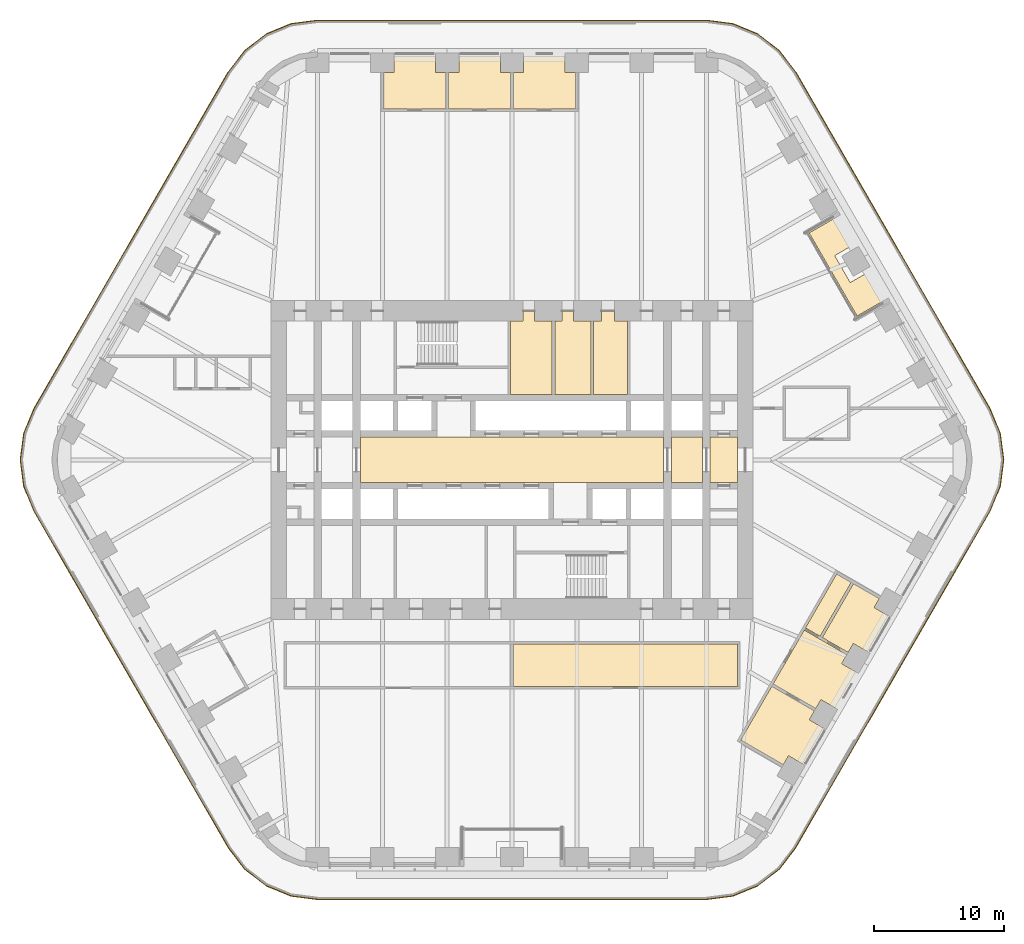
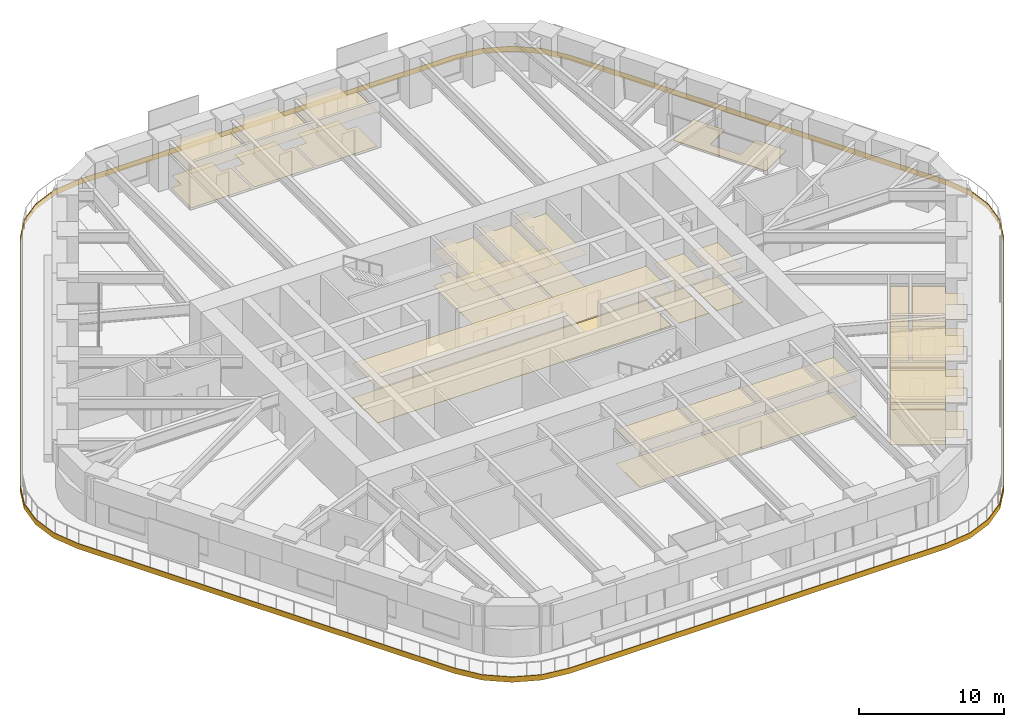
# One storey, part 23 of 24: 16 coverings.
"""IFC4 building model written with IfcOpenShell, lengths in metres."""

from ifc_helpers import new_model, si_unit, direction, frame, origin, place, context, subcontext, project, spatial, polyline, outline, extrude, material, layer, layer_set, type_object, element, save


model = new_model("IFC4")

# Units and contexts
model_context = context("Model", 3, precision=1e-05, world=origin(), true_north=direction((0.0, 1.0)))
body_context = subcontext(model_context, "Body", "Model", "MODEL_VIEW")
ifc_project = project(units=[si_unit("LENGTHUNIT", "METRE"), si_unit("AREAUNIT", "SQUARE_METRE"), si_unit("VOLUMEUNIT", "CUBIC_METRE"), si_unit("PLANEANGLEUNIT", "RADIAN"), si_unit("MASSUNIT", "GRAM", prefix="KILO")], contexts=[model_context])

# Site, building, storey
site_placement = place(None, origin())
site = spatial("IfcSite", under=ifc_project, at=site_placement, CompositionType="ELEMENT")
building_placement = place(site_placement, origin())
building = spatial("IfcBuilding", under=site, at=building_placement, Name="Tarfa Lantern Tower", CompositionType="ELEMENT")
storey_placement = place(building_placement, frame((0.0, 0.0, 127.89990234375)))
storey = spatial("IfcBuildingStorey", under=building, at=storey_placement, Name="L28", CompositionType="ELEMENT", Elevation=127.89990234375)

# Coverings
ifc_material_1 = material(Name="Mineral fibre acoustic tile on suspension grid", Category="finish")
ifc_layer_1 = layer(ifc_material_1, 0.02001953125)
ifc_layer_set_1 = layer_set([ifc_layer_1], Name="CL1 ACOUSTIC TILE CEILING 20")
covering_type_1 = type_object("IfcCoveringType", Name="CL1 ACOUSTIC TILE CEILING 20", PredefinedType="CEILING", material=ifc_layer_set_1)
covering_1_placement = place(storey_placement, frame((0.0, 0.0, 2.900146484375)))
element("IfcCovering", 1, at=covering_1_placement, inside=storey, type_object=covering_type_1, Name="Ceiling L28 CL1", PredefinedType="CEILING", context=body_context, shape_type="SweptSolid", body=[
    extrude(outline(polyline([(4.90380859375, 27.10009765625), (0.10009765625, 27.10009765625), (0.10009765625, 29.89990234375), (0.89990234375, 29.89990234375), (0.89990234375, 31.14990234375), (4.103759765625, 31.14990234375), (4.103759765625, 29.89990234375), (4.90380859375, 29.89990234375), (4.90380859375, 27.10009765625)])), origin(), (0.0, 0.0, 1.0), 0.02001953125),
    extrude(outline(polyline([(-0.10009765625, 27.10009765625), (-4.90380859375, 27.10009765625), (-4.90380859375, 29.89990234375), (-4.103759765625, 29.89990234375), (-4.103759765625, 31.14990234375), (-0.89990234375, 31.14990234375), (-0.89990234375, 29.89990234375), (-0.10009765625, 29.89990234375), (-0.10009765625, 27.10009765625)])), origin(), (0.0, 0.0, 1.0), 0.02001953125),
    extrude(outline(polyline([(-5.103759765625, 27.10009765625), (-9.907470703125, 27.10009765625), (-9.907470703125, 29.89990234375), (-9.107421875, 29.89990234375), (-9.107421875, 31.14990234375), (-5.90380859375, 31.14990234375), (-5.90380859375, 29.89990234375), (-5.103759765625, 29.89990234375), (-5.103759765625, 27.10009765625)])), origin(), (0.0, 0.0, 1.0), 0.02001953125),
    extrude(outline(polyline([(20.051513671875, -17.469970703125), (23.34228515625, -19.369873046875), (22.9423828125, -20.062744140625), (24.02490234375, -20.687744140625), (22.423095703125, -23.462158203125), (21.340576171875, -22.837158203125), (20.9404296875, -23.530029296875), (17.649658203125, -21.630126953125), (20.051513671875, -17.469970703125)])), origin(), (0.0, 0.0, 1.0), 0.02001953125),
    extrude(outline(polyline([(22.55322265625, -13.13671875), (25.84423828125, -15.03662109375), (25.444091796875, -15.7294921875), (26.526611328125, -16.3544921875), (24.9248046875, -19.12890625), (23.84228515625, -18.50390625), (23.4423828125, -19.19677734375), (20.1513671875, -17.296630859375), (22.55322265625, -13.13671875)])), origin(), (0.0, 0.0, 1.0), 0.02001953125),
    extrude(outline(polyline([(26.354248046875, -9.55322265625), (28.345947265625, -10.703369140625), (27.946044921875, -11.39599609375), (29.028564453125, -12.02099609375), (27.4267578125, -14.795654296875), (26.34423828125, -14.170654296875), (25.944091796875, -14.86328125), (23.952392578125, -13.71337890625), (26.354248046875, -9.55322265625)])), origin(), (0.0, 0.0, 1.0), 0.02001953125),
    extrude(outline(polyline([(25.05517578125, -8.80322265625), (26.180908203125, -9.453369140625), (23.779052734375, -13.61328125), (22.6533203125, -12.96337890625), (25.05517578125, -8.80322265625)])), origin(), (0.0, 0.0, 1.0), 0.02001953125),
    extrude(outline(polyline([(0.10009765625, -14.199951171875), (17.39990234375, -14.199951171875), (17.39990234375, -17.5), (0.10009765625, -17.5), (0.10009765625, -14.199951171875)])), origin(), (0.0, 0.0, 1.0), 0.02001953125),
])
ifc_material_2 = material(Name="Moisture-resistant plasterboard", Category="finish")
ifc_layer_2 = layer(ifc_material_2, 0.014892578125)
ifc_layer_set_2 = layer_set([ifc_layer_2], Name="CL2 MOISTURE-RESISTANT PLASTERBOARD CEILING 15")
covering_type_2 = type_object("IfcCoveringType", Name="CL2 MOISTURE-RESISTANT PLASTERBOARD CEILING 15", PredefinedType="CEILING", material=ifc_layer_set_2)
covering_2_placement = place(storey_placement, frame((0.0, 0.0, 2.900146484375)))
element("IfcCovering", 2, at=covering_2_placement, inside=storey, type_object=covering_type_2, Name="Ceiling L28-09", PredefinedType="CEILING", context=body_context, shape_type="SweptSolid", body=[
    extrude(outline(polyline([(0.85009765625, 10.699951171875), (-0.10009765625, 10.699951171875), (-0.10009765625, 5.050048828125), (3.10009765625, 5.050048828125), (3.10009765625, 10.699951171875), (1.75, 10.699951171875), (1.75, 11.5), (0.85009765625, 11.5), (0.85009765625, 10.699951171875)])), origin(), (0.0, 0.0, 1.0), 0.014892578125),
])
covering_3_placement = place(storey_placement, frame((0.0, 0.0, 2.900146484375)))
element("IfcCovering", 3, at=covering_3_placement, inside=storey, type_object=covering_type_2, Name="Ceiling L28-10", PredefinedType="CEILING", context=body_context, shape_type="SweptSolid", body=[
    extrude(outline(polyline([(3.300048828125, 5.050048828125), (6.10009765625, 5.050048828125), (6.10009765625, 10.699951171875), (4.75, 10.699951171875), (4.75, 11.5), (3.85009765625, 11.5), (3.85009765625, 10.699951171875), (3.300048828125, 10.699951171875), (3.300048828125, 5.050048828125)])), origin(), (0.0, 0.0, 1.0), 0.014892578125),
])
covering_4_placement = place(storey_placement, frame((0.0, 0.0, 2.900146484375)))
element("IfcCovering", 4, at=covering_4_placement, inside=storey, type_object=covering_type_2, Name="Ceiling L28-11", PredefinedType="CEILING", context=body_context, shape_type="SweptSolid", body=[
    extrude(outline(polyline([(6.300048828125, 5.050048828125), (8.89990234375, 5.050048828125), (8.89990234375, 10.699951171875), (7.89990234375, 10.699951171875), (7.89990234375, 11.5), (6.89990234375, 11.5), (6.89990234375, 10.699951171875), (6.300048828125, 10.699951171875), (6.300048828125, 5.050048828125)])), origin(), (0.0, 0.0, 1.0), 0.014892578125),
])
ifc_material_3 = material(Name="Powder-coated aluminium panel", Category="aluminium")
ifc_layer_3 = layer(ifc_material_3, 0.030029296875)
ifc_layer_set_3 = layer_set([ifc_layer_3], Name="CL3 METAL PANEL CEILING 30")
covering_type_3 = type_object("IfcCoveringType", Name="CL3 METAL PANEL CEILING 30", PredefinedType="CEILING", material=ifc_layer_set_3)
covering_5_placement = place(storey_placement, frame((0.0, 0.0, 2.900146484375)))
element("IfcCovering", 5, at=covering_5_placement, inside=storey, type_object=covering_type_3, Name="Ceiling L28-03", PredefinedType="CEILING", context=body_context, shape_type="SweptSolid", body=[
    extrude(outline(polyline([(-11.699951171875, -1.75), (11.699951171875, -1.75), (11.699951171875, 1.75), (-11.699951171875, 1.75), (-11.699951171875, -1.75)])), origin(), (0.0, 0.0, 1.0), 0.030029296875),
])
covering_6_placement = place(storey_placement, frame((0.0, 0.0, 2.900146484375)))
element("IfcCovering", 6, at=covering_6_placement, inside=storey, type_object=covering_type_3, Name="Ceiling L28-04", PredefinedType="CEILING", context=body_context, shape_type="SweptSolid", body=[
    extrude(outline(polyline([(12.300048828125, -1.75), (14.699951171875, -1.75), (14.699951171875, 1.75), (12.300048828125, 1.75), (12.300048828125, -1.75)])), origin(), (0.0, 0.0, 1.0), 0.030029296875),
])
covering_7_placement = place(storey_placement, frame((0.0, 0.0, 2.900146484375)))
element("IfcCovering", 7, at=covering_7_placement, inside=storey, type_object=covering_type_3, Name="Ceiling L28-05", PredefinedType="CEILING", context=body_context, shape_type="SweptSolid", body=[
    extrude(outline(polyline([(15.300048828125, -1.75), (17.39990234375, -1.75), (17.39990234375, 1.75), (15.300048828125, 1.75), (15.300048828125, -1.75)])), origin(), (0.0, 0.0, 1.0), 0.030029296875),
])
ifc_material_4 = material(Name="Nylon carpet tile", Category="finish")
ifc_layer_4 = layer(ifc_material_4, 0.010009765625)
ifc_layer_set_4 = layer_set([ifc_layer_4], Name="FL1 CARPET TILE 10")
covering_type_4 = type_object("IfcCoveringType", Name="FL1 CARPET TILE 10", PredefinedType="FLOORING", material=ifc_layer_set_4)
covering_8_placement = place(storey_placement, origin())
element("IfcCovering", 8, at=covering_8_placement, inside=storey, type_object=covering_type_4, Name="Floor finish L28 FL1", PredefinedType="FLOORING", context=body_context, shape_type="SweptSolid", body=[
    extrude(outline(polyline([(4.90380859375, 27.10009765625), (0.10009765625, 27.10009765625), (0.10009765625, 29.89990234375), (0.89990234375, 29.89990234375), (0.89990234375, 31.14990234375), (4.103759765625, 31.14990234375), (4.103759765625, 29.89990234375), (4.90380859375, 29.89990234375), (4.90380859375, 27.10009765625)])), origin(), (0.0, 0.0, 1.0), 0.010009765625),
    extrude(outline(polyline([(-0.10009765625, 27.10009765625), (-4.90380859375, 27.10009765625), (-4.90380859375, 29.89990234375), (-4.103759765625, 29.89990234375), (-4.103759765625, 31.14990234375), (-0.89990234375, 31.14990234375), (-0.89990234375, 29.89990234375), (-0.10009765625, 29.89990234375), (-0.10009765625, 27.10009765625)])), origin(), (0.0, 0.0, 1.0), 0.010009765625),
    extrude(outline(polyline([(-5.103759765625, 27.10009765625), (-9.907470703125, 27.10009765625), (-9.907470703125, 29.89990234375), (-9.107421875, 29.89990234375), (-9.107421875, 31.14990234375), (-5.90380859375, 31.14990234375), (-5.90380859375, 29.89990234375), (-5.103759765625, 29.89990234375), (-5.103759765625, 27.10009765625)])), origin(), (0.0, 0.0, 1.0), 0.010009765625),
    extrude(outline(polyline([(20.051513671875, -17.469970703125), (23.34228515625, -19.369873046875), (22.9423828125, -20.062744140625), (24.02490234375, -20.687744140625), (22.423095703125, -23.462158203125), (21.340576171875, -22.837158203125), (20.9404296875, -23.530029296875), (17.649658203125, -21.630126953125), (20.051513671875, -17.469970703125)])), origin(), (0.0, 0.0, 1.0), 0.010009765625),
    extrude(outline(polyline([(22.55322265625, -13.13671875), (25.84423828125, -15.03662109375), (25.444091796875, -15.7294921875), (26.526611328125, -16.3544921875), (24.9248046875, -19.12890625), (23.84228515625, -18.50390625), (23.4423828125, -19.19677734375), (20.1513671875, -17.296630859375), (22.55322265625, -13.13671875)])), origin(), (0.0, 0.0, 1.0), 0.010009765625),
    extrude(outline(polyline([(26.354248046875, -9.55322265625), (28.345947265625, -10.703369140625), (27.946044921875, -11.39599609375), (29.028564453125, -12.02099609375), (27.4267578125, -14.795654296875), (26.34423828125, -14.170654296875), (25.944091796875, -14.86328125), (23.952392578125, -13.71337890625), (26.354248046875, -9.55322265625)])), origin(), (0.0, 0.0, 1.0), 0.010009765625),
    extrude(outline(polyline([(25.05517578125, -8.80322265625), (26.180908203125, -9.453369140625), (23.779052734375, -13.61328125), (22.6533203125, -12.96337890625), (25.05517578125, -8.80322265625)])), origin(), (0.0, 0.0, 1.0), 0.010009765625),
    extrude(outline(polyline([(0.10009765625, -14.199951171875), (17.39990234375, -14.199951171875), (17.39990234375, -17.5), (0.10009765625, -17.5), (0.10009765625, -14.199951171875)])), origin(), (0.0, 0.0, 1.0), 0.010009765625),
])
ifc_material_5 = material(Name="Honed limestone flooring", Category="masonry")
ifc_layer_5 = layer(ifc_material_5, 0.030029296875)
ifc_layer_set_5 = layer_set([ifc_layer_5], Name="FL2 STONE FLOORING 30")
covering_type_5 = type_object("IfcCoveringType", Name="FL2 STONE FLOORING 30", PredefinedType="FLOORING", material=ifc_layer_set_5)
covering_9_placement = place(storey_placement, origin())
element("IfcCovering", 9, at=covering_9_placement, inside=storey, type_object=covering_type_5, Name="Floor finish L28-03", PredefinedType="FLOORING", context=body_context, shape_type="SweptSolid", body=[
    extrude(outline(polyline([(-11.699951171875, -1.75), (11.699951171875, -1.75), (11.699951171875, 1.75), (-11.699951171875, 1.75), (-11.699951171875, -1.75)])), origin(), (0.0, 0.0, 1.0), 0.030029296875),
])
covering_10_placement = place(storey_placement, origin())
element("IfcCovering", 10, at=covering_10_placement, inside=storey, type_object=covering_type_5, Name="Floor finish L28-04", PredefinedType="FLOORING", context=body_context, shape_type="SweptSolid", body=[
    extrude(outline(polyline([(12.300048828125, -1.75), (14.699951171875, -1.75), (14.699951171875, 1.75), (12.300048828125, 1.75), (12.300048828125, -1.75)])), origin(), (0.0, 0.0, 1.0), 0.030029296875),
])
covering_11_placement = place(storey_placement, origin())
element("IfcCovering", 11, at=covering_11_placement, inside=storey, type_object=covering_type_5, Name="Floor finish L28-05", PredefinedType="FLOORING", context=body_context, shape_type="SweptSolid", body=[
    extrude(outline(polyline([(15.300048828125, -1.75), (17.39990234375, -1.75), (17.39990234375, 1.75), (15.300048828125, 1.75), (15.300048828125, -1.75)])), origin(), (0.0, 0.0, 1.0), 0.030029296875),
])
ifc_material_6 = material(Name="Porcelain floor tile", Category="finish")
ifc_layer_6 = layer(ifc_material_6, 0.011962890625)
ifc_layer_set_6 = layer_set([ifc_layer_6], Name="FL3 CERAMIC TILE 12")
covering_type_6 = type_object("IfcCoveringType", Name="FL3 CERAMIC TILE 12", PredefinedType="FLOORING", material=ifc_layer_set_6)
covering_12_placement = place(storey_placement, origin())
element("IfcCovering", 12, at=covering_12_placement, inside=storey, type_object=covering_type_6, Name="Floor finish L28-09", PredefinedType="FLOORING", context=body_context, shape_type="SweptSolid", body=[
    extrude(outline(polyline([(0.85009765625, 10.699951171875), (-0.10009765625, 10.699951171875), (-0.10009765625, 5.050048828125), (3.10009765625, 5.050048828125), (3.10009765625, 10.699951171875), (1.75, 10.699951171875), (1.75, 11.5), (0.85009765625, 11.5), (0.85009765625, 10.699951171875)])), origin(), (0.0, 0.0, 1.0), 0.01220703125),
])
covering_13_placement = place(storey_placement, origin())
element("IfcCovering", 13, at=covering_13_placement, inside=storey, type_object=covering_type_6, Name="Floor finish L28-10", PredefinedType="FLOORING", context=body_context, shape_type="SweptSolid", body=[
    extrude(outline(polyline([(3.300048828125, 5.050048828125), (6.10009765625, 5.050048828125), (6.10009765625, 10.699951171875), (4.75, 10.699951171875), (4.75, 11.5), (3.85009765625, 11.5), (3.85009765625, 10.699951171875), (3.300048828125, 10.699951171875), (3.300048828125, 5.050048828125)])), origin(), (0.0, 0.0, 1.0), 0.01220703125),
])
covering_14_placement = place(storey_placement, origin())
element("IfcCovering", 14, at=covering_14_placement, inside=storey, type_object=covering_type_6, Name="Floor finish L28-11", PredefinedType="FLOORING", context=body_context, shape_type="SweptSolid", body=[
    extrude(outline(polyline([(6.300048828125, 5.050048828125), (8.89990234375, 5.050048828125), (8.89990234375, 10.699951171875), (7.89990234375, 10.699951171875), (7.89990234375, 11.5), (6.89990234375, 11.5), (6.89990234375, 10.699951171875), (6.300048828125, 10.699951171875), (6.300048828125, 5.050048828125)])), origin(), (0.0, 0.0, 1.0), 0.01220703125),
])
ifc_material_7 = material(Name="Porcelain pavers on pedestals", Category="ceramic")
ifc_layer_7 = layer(ifc_material_7, 0.0400390625)
ifc_layer_set_7 = layer_set([ifc_layer_7], Name="LP1 LOGGIA PAVING 40")
covering_type_7 = type_object("IfcCoveringType", Name="LP1 LOGGIA PAVING 40", PredefinedType="FLOORING", material=ifc_layer_set_7)
covering_15_placement = place(storey_placement, origin())
element("IfcCovering", 15, at=covering_15_placement, inside=storey, type_object=covering_type_7, Name="Loggia paving NE", PredefinedType="FLOORING", context=body_context, shape_type="SweptSolid", body=[
    extrude(outline(polyline([(29.131591796875, 12.54248046875), (26.637451171875, 11.1025390625), (22.933837890625, 17.517578125), (25.427978515625, 18.95751953125), (26.6796875, 16.789306640625), (24.904541015625, 15.76416015625), (26.1044921875, 13.685791015625), (27.8798828125, 14.710693359375), (29.131591796875, 12.54248046875)])), origin(), (0.0, 0.0, 1.0), 0.0400390625),
])
ifc_material_8 = material(Name="Limestone cladding on brackets", Category="masonry")
ifc_layer_8 = layer(ifc_material_8, 0.050048828125)
ifc_layer_set_8 = layer_set([ifc_layer_8], Name="SB1 STONE BAND CLADDING 50")
covering_type_8 = type_object("IfcCoveringType", Name="SB1 STONE BAND CLADDING 50", PredefinedType="CLADDING", material=ifc_layer_set_8)
covering_16_placement = place(storey_placement, frame((0.0, 0.0, -0.39990234375)))
element("IfcCovering", 16, at=covering_16_placement, inside=storey, type_object=covering_type_8, Name="Stone band", PredefinedType="CLADDING", context=body_context, shape_type="SweptSolid", body=[
    extrude(outline(polyline([(36.9072265625, 3.97509765625), (21.89599609375, 29.97509765625), (20.632568359375, 31.62158203125), (18.986083984375, 32.885009765625), (17.068603515625, 33.67919921875), (15.010986328125, 33.949951171875), (-15.010986328125, 33.949951171875), (-17.068603515625, 33.67919921875), (-18.986083984375, 32.885009765625), (-20.632568359375, 31.62158203125), (-21.89599609375, 29.97509765625), (-36.9072265625, 3.97509765625), (-37.701416015625, 2.0576171875), (-37.97216796875, 0.0), (-37.701416015625, -2.0576171875), (-36.9072265625, -3.97509765625), (-21.89599609375, -29.97509765625), (-20.632568359375, -31.62158203125), (-18.986083984375, -32.885009765625), (-17.068603515625, -33.67919921875), (-15.010986328125, -33.949951171875), (15.010986328125, -33.949951171875), (17.068603515625, -33.67919921875), (18.986083984375, -32.885009765625), (20.632568359375, -31.62158203125), (21.89599609375, -29.97509765625), (36.9072265625, -3.97509765625), (37.701416015625, -2.0576171875), (37.97216796875, 0.0), (37.701416015625, 2.0576171875), (36.9072265625, 3.97509765625)]), holes=[polyline([(36.86376953125, 3.949951171875), (21.852783203125, 29.949951171875), (20.59716796875, 31.586181640625), (18.961181640625, 32.841552734375), (17.0556640625, 33.630859375), (15.010986328125, 33.89990234375), (-15.010986328125, 33.89990234375), (-17.0556640625, 33.630859375), (-18.961181640625, 32.841552734375), (-20.59716796875, 31.586181640625), (-21.852783203125, 29.949951171875), (-36.86376953125, 3.949951171875), (-37.653076171875, 2.044677734375), (-37.922119140625, 0.0), (-37.653076171875, -2.044677734375), (-36.86376953125, -3.949951171875), (-21.852783203125, -29.949951171875), (-20.59716796875, -31.586181640625), (-18.961181640625, -32.841552734375), (-17.0556640625, -33.630859375), (-15.010986328125, -33.89990234375), (15.010986328125, -33.89990234375), (17.0556640625, -33.630859375), (18.961181640625, -32.841552734375), (20.59716796875, -31.586181640625), (21.852783203125, -29.949951171875), (36.86376953125, -3.949951171875), (37.653076171875, -2.044677734375), (37.922119140625, 0.0), (37.653076171875, 2.044677734375), (36.86376953125, 3.949951171875)])]), origin(), (0.0, 0.0, 1.0), 0.449951171875),
])

save(model, "model.ifc")
